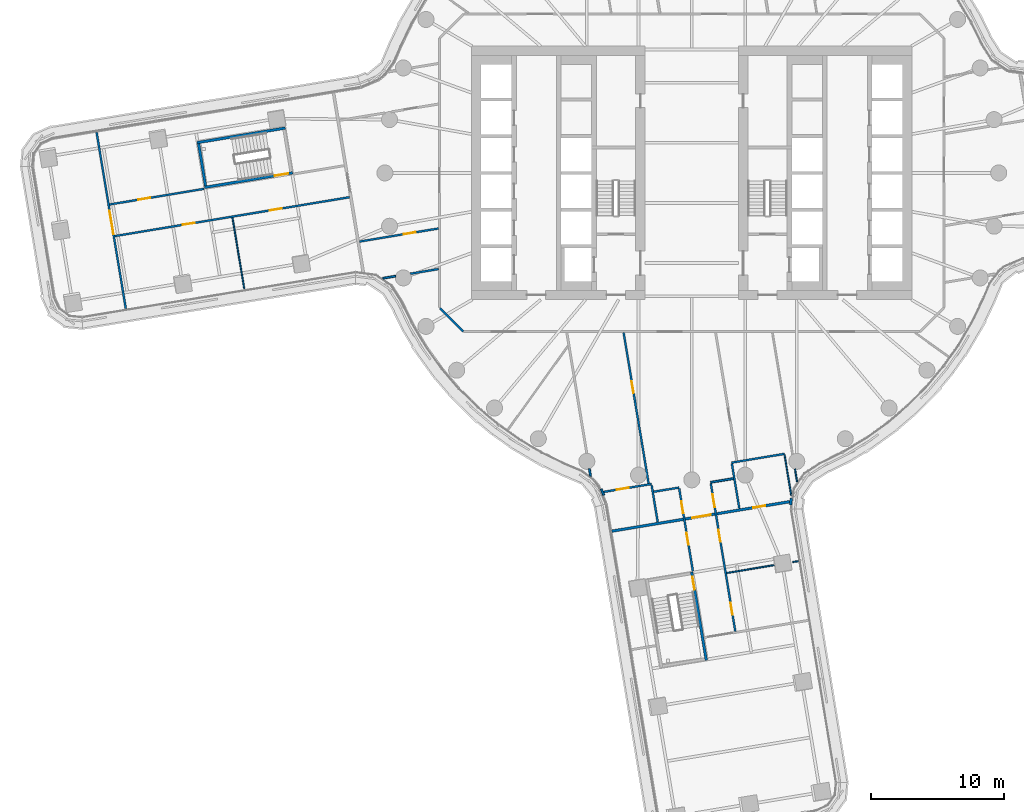
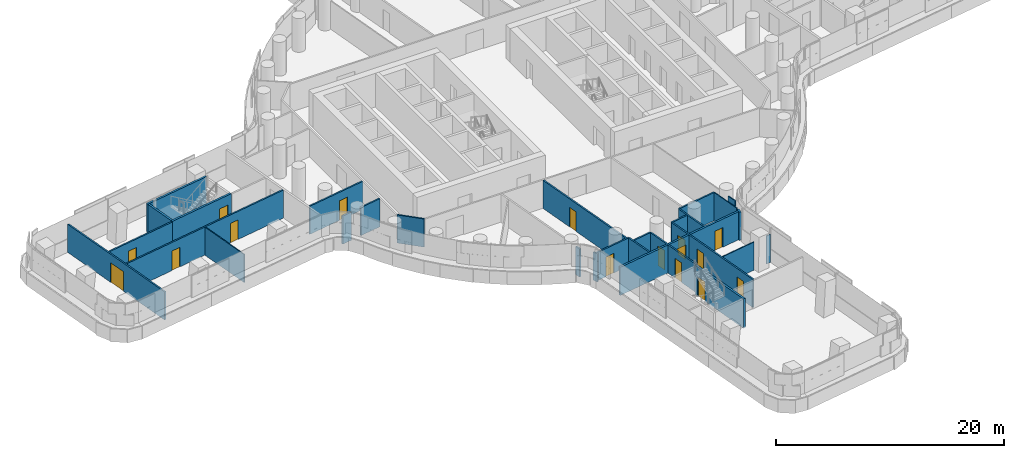
# One storey, part 20 of 32: 29 walls, 16 doors, 16 openings.
"""IFC4 building model written with IfcOpenShell, lengths in metres."""

from ifc_helpers import new_model, si_unit, direction, frame, frame_2d, origin, place, context, subcontext, project, spatial, polyline, rectangle, outline, extrude, material, layer, layer_set, type_object, element, fill, save


model = new_model("IFC4")

# Units and contexts
model_context = context("Model", 3, precision=1e-05, world=origin(), true_north=direction((0.0, 1.0)))
body_context = subcontext(model_context, "Body", "Model", "MODEL_VIEW")
ifc_project = project(units=[si_unit("LENGTHUNIT", "METRE"), si_unit("AREAUNIT", "SQUARE_METRE"), si_unit("VOLUMEUNIT", "CUBIC_METRE"), si_unit("PLANEANGLEUNIT", "RADIAN"), si_unit("MASSUNIT", "GRAM", prefix="KILO")], contexts=[model_context])

# Site, building, storey
site_placement = place(None, origin())
site = spatial("IfcSite", under=ifc_project, at=site_placement, CompositionType="ELEMENT")
building_placement = place(site_placement, origin())
building = spatial("IfcBuilding", under=site, at=building_placement, Name="Tamarind Cross Interchange Tower", CompositionType="ELEMENT")
storey_placement = place(building_placement, frame((0.0, 0.0, 67.75)))
storey = spatial("IfcBuildingStorey", under=building, at=storey_placement, Name="L15", CompositionType="ELEMENT", Elevation=67.75)

# Walls
ifc_material_1 = material(Name="Gypsum board partition on steel studs", Category="steel")
ifc_layer_1 = layer(ifc_material_1, 0.10009765625)
ifc_layer_set_1 = layer_set([ifc_layer_1], Name="Gypsum board partition on steel studs")
wall_type_1 = type_object("IfcWallType", Name="Partition 100 mm EI 90", PredefinedType="PARTITIONING", material=ifc_layer_set_1)
wall_1_placement = place(storey_placement, frame((-34.419677734375, -3.34912109375, 0.0), z_axis=(0.0, 0.0, 1.0), x_axis=(0.163379898138, -0.986563231063, 0.0)))
element("IfcWall", 1, at=wall_1_placement, inside=storey, type_object=wall_type_1, Name="Partition L15-002", PredefinedType="PARTITIONING", context=body_context, shape_type="SweptSolid", body=[
    extrude(rectangle(XDim=5.439208984375, YDim=0.10009765625, at=frame_2d((2.7197265625, 0.0))), origin(), (0.0, 0.0, 1.0), 3.010009765625),
])
wall_2_placement = place(storey_placement, frame((7.734375, -22.1875, 0.0), z_axis=(0.0, 0.0, 1.0), x_axis=(0.163263648391, -0.986582475576, 0.0)))
element("IfcWall", 2, at=wall_2_placement, inside=storey, type_object=wall_type_1, Name="Partition L15-022", PredefinedType="PARTITIONING", context=body_context, shape_type="SweptSolid", body=[
    extrude(rectangle(XDim=0.9765625, YDim=0.10009765625, at=frame_2d((0.48828125, 0.0))), origin(), (0.0, 0.0, 1.0), 3.010009765625),
])
wall_3_placement = place(storey_placement, frame((6.94970703125, -21.1181640625, 0.0), z_axis=(0.0, 0.0, 1.0), x_axis=(0.163298713536, -0.986576672214, 0.0)))
element("IfcWall", 3, at=wall_3_placement, inside=storey, type_object=wall_type_1, Name="Partition L15-023", PredefinedType="PARTITIONING", context=body_context, shape_type="SweptSolid", body=[
    extrude(rectangle(XDim=3.0947265625, YDim=0.10009765625, at=frame_2d((1.54736328125, 0.0))), origin(), (0.0, 0.0, 1.0), 3.010009765625),
])
wall_4_placement = place(storey_placement, frame((2.614013671875, -29.979736328125, 0.0), z_axis=(0.0, 0.0, 1.0), x_axis=(0.986560373478, 0.163397152616, 0.0)))
element("IfcWall", 4, at=wall_4_placement, inside=storey, type_object=wall_type_1, Name="Partition L15-059", PredefinedType="PARTITIONING", context=body_context, shape_type="SweptSolid", body=[
    extrude(rectangle(XDim=3.596435546875, YDim=0.10009765625, at=frame_2d((1.79833984375, 0.0))), origin(), (0.0, 0.0, 1.0), 3.010009765625),
])
wall_5_placement = place(storey_placement, frame((7.560302734375, -29.16064453125, 0.0), z_axis=(0.0, 0.0, 1.0), x_axis=(0.986516096147, 0.163664266238, 0.0)))
element("IfcWall", 5, at=wall_5_placement, inside=storey, type_object=wall_type_1, Name="Partition L15-060", PredefinedType="PARTITIONING", context=body_context, shape_type="SweptSolid", body=[
    extrude(rectangle(XDim=0.43115234375, YDim=0.10009765625, at=frame_2d((0.215576171875, 0.0))), origin(), (0.0, 0.0, 1.0), 3.010009765625),
])

# Wall, opening, door
ifc_layer_2 = layer(ifc_material_1, 0.14990234375)
ifc_layer_set_2 = layer_set([ifc_layer_2], Name="Gypsum board partition on steel studs")
wall_type_2 = type_object("IfcWallType", Name="Partition 150 mm EI 120", PredefinedType="PARTITIONING", material=ifc_layer_set_2)
wall_6_placement = place(storey_placement, frame((-44.601806640625, 3.047119140625, 0.0), z_axis=(0.0, 0.0, 1.0), x_axis=(0.163385657708, -0.986562277231, 0.0)))
wall_6 = element("IfcWall", 6, at=wall_6_placement, inside=storey, type_object=wall_type_2, Name="Partition L15-001", PredefinedType="PARTITIONING", context=body_context, shape_type="SweptSolid", body=[
    extrude(rectangle(XDim=13.402099609375, YDim=0.14990234375, at=frame_2d((6.701171875, 0.0))), origin(), (0.0, 0.0, 1.0), 3.010009765625),
])
opening_1_placement = place(wall_6_placement, frame((5.94921875, 0.0, 0.0)))
opening_1 = element("IfcOpeningElement", 7, at=opening_1_placement, cuts=wall_6, Name="Opening D01", PredefinedType="OPENING", context=body_context, shape_type="SweptSolid", body=[
    extrude(rectangle(XDim=1.800048828125, YDim=2.10009765625, at=frame_2d((0.89990234375, 1.050048828125))), frame((0.0, 0.0849609375, 0.0), z_axis=(0.0, -1.0, 0.0), x_axis=(1.0, 0.0, 0.0)), (0.0, 0.0, 1.0), 0.169921875),
])
ifc_material_2 = material(Name="Fire-resisting door set")
door_type_1 = type_object("IfcDoorType", Name="Interior door 1800 x 2100 FD60S", OperationType="DOUBLE_DOOR_SINGLE_SWING", PredefinedType="DOOR", material=ifc_material_2)
door_1_placement = place(opening_1_placement, frame((1.800048828125, 0.0, 0.0), z_axis=(0.0, 0.0, 1.0), x_axis=(-1.0, 0.0, 0.0)))
door_1 = element("IfcDoor", 8, at=door_1_placement, inside=storey, type_object=door_type_1, Name="Door D01", OperationType="DOUBLE_DOOR_SINGLE_SWING", OverallHeight=2.10009765625, OverallWidth=1.800048828125, PredefinedType="DOOR", context=body_context, shape_type="SweptSolid", body=[
    extrude(rectangle(XDim=1.800048828125, YDim=2.10009765625, at=frame_2d((0.89990234375, 1.050048828125))), frame((0.0, 0.02490234375, 0.0), z_axis=(0.0, -1.0, 0.0), x_axis=(1.0, 0.0, 0.0)), (0.0, 0.0, 1.0), 0.050048828125),
])
fill(opening_1, door_1)

# Wall
wall_7_placement = place(storey_placement, frame((-7.67626953125, -22.172119140625, 0.0), z_axis=(0.0, 0.0, 1.0), x_axis=(0.163195946533, -0.986593676766, 0.0)))
element("IfcWall", 9, at=wall_7_placement, inside=storey, type_object=wall_type_2, Name="Partition L15-005", PredefinedType="PARTITIONING", context=body_context, shape_type="SweptSolid", body=[
    extrude(rectangle(XDim=0.5595703125, YDim=0.14990234375, at=frame_2d((0.27978515625, 0.0))), origin(), (0.0, 0.0, 1.0), 3.010009765625),
])

# Wall, opening, door
wall_8_placement = place(storey_placement, frame((-5.107666015625, -11.968994140625, 0.0), z_axis=(0.0, 0.0, 1.0), x_axis=(0.163358221412, -0.986566820594, 0.0)))
wall_8 = element("IfcWall", 10, at=wall_8_placement, inside=storey, type_object=wall_type_2, Name="Partition L15-008", PredefinedType="PARTITIONING", context=body_context, shape_type="SweptSolid", body=[
    extrude(rectangle(XDim=11.450927734375, YDim=0.14990234375, at=frame_2d((5.7255859375, 0.0))), origin(), (0.0, 0.0, 1.0), 3.010009765625),
])
opening_2_placement = place(wall_8_placement, frame((3.679931640625, 0.0, 0.0)))
opening_2 = element("IfcOpeningElement", 11, at=opening_2_placement, cuts=wall_8, Name="Opening D03", PredefinedType="OPENING", context=body_context, shape_type="SweptSolid", body=[
    extrude(rectangle(XDim=0.89990234375, YDim=2.10009765625, at=frame_2d((0.449951171875, 1.050048828125))), frame((0.0, 0.0849609375, 0.0), z_axis=(0.0, -1.0, 0.0), x_axis=(1.0, 0.0, 0.0)), (0.0, 0.0, 1.0), 0.169921875),
])
door_type_2 = type_object("IfcDoorType", Name="Interior door 900 x 2100 FD60S", OperationType="SINGLE_SWING_LEFT", PredefinedType="DOOR", material=ifc_material_2)
door_2_placement = place(opening_2_placement, frame((0.89990234375, 0.0, 0.0), z_axis=(0.0, 0.0, 1.0), x_axis=(-1.0, 0.0, 0.0)))
door_2 = element("IfcDoor", 12, at=door_2_placement, inside=storey, type_object=door_type_2, Name="Door D03", OperationType="SINGLE_SWING_LEFT", OverallHeight=2.10009765625, OverallWidth=0.89990234375, PredefinedType="DOOR", context=body_context, shape_type="SweptSolid", body=[
    extrude(rectangle(XDim=0.89990234375, YDim=2.10009765625, at=frame_2d((0.449951171875, 1.050048828125))), frame((0.0, 0.02490234375, 0.0), z_axis=(0.0, -1.0, 0.0), x_axis=(1.0, 0.0, 0.0)), (0.0, 0.0, 1.0), 0.050048828125),
])
fill(opening_2, door_2)

# Wall
wall_9_placement = place(storey_placement, frame((-3.0146484375, -23.381103515625, 0.0), z_axis=(0.0, 0.0, 1.0), x_axis=(0.163404004573, -0.986559238611, 0.0)))
element("IfcWall", 13, at=wall_9_placement, inside=storey, type_object=wall_type_2, Name="Partition L15-012", PredefinedType="PARTITIONING", context=body_context, shape_type="SweptSolid", body=[
    extrude(rectangle(XDim=2.825439453125, YDim=0.14990234375, at=frame_2d((1.41259765625, 0.0))), origin(), (0.0, 0.0, 1.0), 3.010009765625),
])

# Wall, openings, doors
wall_10_placement = place(storey_placement, frame((-0.943603515625, -23.64599609375, 0.0), z_axis=(0.0, 0.0, 1.0), x_axis=(0.163303613775, -0.986575861112, 0.0)))
wall_10 = element("IfcWall", 14, at=wall_10_placement, inside=storey, type_object=wall_type_2, Name="Partition L15-015", PredefinedType="PARTITIONING", context=body_context, shape_type="SweptSolid", body=[
    extrude(rectangle(XDim=6.28955078125, YDim=0.14990234375, at=frame_2d((3.144775390625, 0.0))), origin(), (0.0, 0.0, 1.0), 3.010009765625),
])
opening_3_placement = place(wall_10_placement, frame((0.97998046875, 0.0, 0.0)))
opening_3 = element("IfcOpeningElement", 15, at=opening_3_placement, cuts=wall_10, Name="Opening D08", PredefinedType="OPENING", context=body_context, shape_type="SweptSolid", body=[
    extrude(rectangle(XDim=0.89990234375, YDim=2.10009765625, at=frame_2d((0.449951171875, 1.050048828125))), frame((0.0, 0.0849609375, 0.0), z_axis=(0.0, -1.0, 0.0), x_axis=(1.0, 0.0, 0.0)), (0.0, 0.0, 1.0), 0.169921875),
])
opening_4_placement = place(wall_10_placement, frame((3.380126953125, 0.0, 0.0)))
opening_4 = element("IfcOpeningElement", 16, at=opening_4_placement, cuts=wall_10, Name="Opening D09", PredefinedType="OPENING", context=body_context, shape_type="SweptSolid", body=[
    extrude(rectangle(XDim=0.89990234375, YDim=2.10009765625, at=frame_2d((0.449951171875, 1.050048828125))), frame((0.0, 0.0849609375, 0.0), z_axis=(0.0, -1.0, 0.0), x_axis=(1.0, 0.0, 0.0)), (0.0, 0.0, 1.0), 0.169921875),
])
door_3_placement = place(opening_3_placement, frame((0.89990234375, 0.0, 0.0), z_axis=(0.0, 0.0, 1.0), x_axis=(-1.0, 0.0, 0.0)))
door_3 = element("IfcDoor", 17, at=door_3_placement, inside=storey, type_object=door_type_2, Name="Door D08", OperationType="SINGLE_SWING_LEFT", OverallHeight=2.10009765625, OverallWidth=0.89990234375, PredefinedType="DOOR", context=body_context, shape_type="SweptSolid", body=[
    extrude(rectangle(XDim=0.89990234375, YDim=2.10009765625, at=frame_2d((0.449951171875, 1.050048828125))), frame((0.0, 0.02490234375, 0.0), z_axis=(0.0, -1.0, 0.0), x_axis=(1.0, 0.0, 0.0)), (0.0, 0.0, 1.0), 0.050048828125),
])
fill(opening_3, door_3)
door_4_placement = place(opening_4_placement, frame((0.89990234375, 0.0, 0.0), z_axis=(0.0, 0.0, 1.0), x_axis=(-1.0, 0.0, 0.0)))
door_4 = element("IfcDoor", 18, at=door_4_placement, inside=storey, type_object=door_type_2, Name="Door D09", OperationType="SINGLE_SWING_RIGHT", OverallHeight=2.10009765625, OverallWidth=0.89990234375, PredefinedType="DOOR", context=body_context, shape_type="SweptSolid", body=[
    extrude(rectangle(XDim=0.89990234375, YDim=2.10009765625, at=frame_2d((0.449951171875, 1.050048828125))), frame((0.0, 0.02490234375, 0.0), z_axis=(0.0, -1.0, 0.0), x_axis=(1.0, 0.0, 0.0)), (0.0, 0.0, 1.0), 0.050048828125),
])
fill(opening_4, door_4)

wall_11_placement = place(storey_placement, frame((1.42431640625, -23.254150390625, 0.0), z_axis=(0.0, 0.0, 1.0), x_axis=(0.163340092812, -0.986569822202, 0.0)))
wall_11 = element("IfcWall", 19, at=wall_11_placement, inside=storey, type_object=wall_type_2, Name="Partition L15-016", PredefinedType="PARTITIONING", context=body_context, shape_type="SweptSolid", body=[
    extrude(rectangle(XDim=11.2548828125, YDim=0.14990234375, at=frame_2d((5.62744140625, 0.0))), origin(), (0.0, 0.0, 1.0), 3.010009765625),
])
opening_5_placement = place(wall_11_placement, frame((0.830078125, 0.0, 0.0)))
opening_5 = element("IfcOpeningElement", 20, at=opening_5_placement, cuts=wall_11, Name="Opening D10", PredefinedType="OPENING", context=body_context, shape_type="SweptSolid", body=[
    extrude(rectangle(XDim=1.0, YDim=2.10009765625, at=frame_2d((0.5, 1.050048828125))), frame((0.0, 0.0849609375, 0.0), z_axis=(0.0, -1.0, 0.0), x_axis=(1.0, 0.0, 0.0)), (0.0, 0.0, 1.0), 0.169921875),
])
opening_6_placement = place(wall_11_placement, frame((3.5302734375, 0.0, 0.0)))
opening_6 = element("IfcOpeningElement", 21, at=opening_6_placement, cuts=wall_11, Name="Opening D11", PredefinedType="OPENING", context=body_context, shape_type="SweptSolid", body=[
    extrude(rectangle(XDim=0.89990234375, YDim=2.10009765625, at=frame_2d((0.449951171875, 1.050048828125))), frame((0.0, 0.0849609375, 0.0), z_axis=(0.0, -1.0, 0.0), x_axis=(1.0, 0.0, 0.0)), (0.0, 0.0, 1.0), 0.169921875),
])
opening_7_placement = place(wall_11_placement, frame((9.07958984375, 0.0, 0.0)))
opening_7 = element("IfcOpeningElement", 22, at=opening_7_placement, cuts=wall_11, Name="Opening D12", PredefinedType="OPENING", context=body_context, shape_type="SweptSolid", body=[
    extrude(rectangle(XDim=0.89990234375, YDim=2.10009765625, at=frame_2d((0.449951171875, 1.050048828125))), frame((0.0, 0.0849609375, 0.0), z_axis=(0.0, -1.0, 0.0), x_axis=(1.0, 0.0, 0.0)), (0.0, 0.0, 1.0), 0.169921875),
])
door_type_3 = type_object("IfcDoorType", Name="Interior door 1000 x 2100 FD60S", OperationType="SINGLE_SWING_LEFT", PredefinedType="DOOR", material=ifc_material_2)
door_5_placement = place(opening_5_placement, origin())
door_5 = element("IfcDoor", 23, at=door_5_placement, inside=storey, type_object=door_type_3, Name="Door D10", OperationType="SINGLE_SWING_RIGHT", OverallHeight=2.10009765625, OverallWidth=1.0, PredefinedType="DOOR", context=body_context, shape_type="SweptSolid", body=[
    extrude(rectangle(XDim=1.0, YDim=2.10009765625, at=frame_2d((0.5, 1.050048828125))), frame((0.0, 0.02490234375, 0.0), z_axis=(0.0, -1.0, 0.0), x_axis=(1.0, 0.0, 0.0)), (0.0, 0.0, 1.0), 0.050048828125),
])
fill(opening_5, door_5)
door_6_placement = place(opening_6_placement, origin())
door_6 = element("IfcDoor", 24, at=door_6_placement, inside=storey, type_object=door_type_2, Name="Door D11", OperationType="SINGLE_SWING_RIGHT", OverallHeight=2.10009765625, OverallWidth=0.89990234375, PredefinedType="DOOR", context=body_context, shape_type="SweptSolid", body=[
    extrude(rectangle(XDim=0.89990234375, YDim=2.10009765625, at=frame_2d((0.449951171875, 1.050048828125))), frame((0.0, 0.02490234375, 0.0), z_axis=(0.0, -1.0, 0.0), x_axis=(1.0, 0.0, 0.0)), (0.0, 0.0, 1.0), 0.050048828125),
])
fill(opening_6, door_6)
door_7_placement = place(opening_7_placement, origin())
door_7 = element("IfcDoor", 25, at=door_7_placement, inside=storey, type_object=door_type_2, Name="Door D12", OperationType="SINGLE_SWING_LEFT", OverallHeight=2.10009765625, OverallWidth=0.89990234375, PredefinedType="DOOR", context=body_context, shape_type="SweptSolid", body=[
    extrude(rectangle(XDim=0.89990234375, YDim=2.10009765625, at=frame_2d((0.449951171875, 1.050048828125))), frame((0.0, 0.02490234375, 0.0), z_axis=(0.0, -1.0, 0.0), x_axis=(1.0, 0.0, 0.0)), (0.0, 0.0, 1.0), 0.050048828125),
])
fill(opening_7, door_7)

# Walls
wall_12_placement = place(storey_placement, frame((3.00341796875, -21.776123046875, 0.0), z_axis=(0.0, 0.0, 1.0), x_axis=(0.163358689155, -0.986566743144, 0.0)))
element("IfcWall", 26, at=wall_12_placement, inside=storey, type_object=wall_type_2, Name="Partition L15-018", PredefinedType="PARTITIONING", context=body_context, shape_type="SweptSolid", body=[
    extrude(rectangle(XDim=3.42529296875, YDim=0.14990234375, at=frame_2d((1.712646484375, 0.0))), origin(), (0.0, 0.0, 1.0), 3.010009765625),
])
wall_13_placement = place(storey_placement, frame((-18.87158203125, -10.12841796875, 0.0), z_axis=(0.0, 0.0, 1.0), x_axis=(0.707106781187, -0.707106781187, 0.0)))
element("IfcWall", 27, at=wall_13_placement, inside=storey, type_object=wall_type_2, Name="Partition L15-031", PredefinedType="PARTITIONING", context=body_context, shape_type="SweptSolid", body=[
    extrude(rectangle(XDim=2.465087890625, YDim=0.14990234375, at=frame_2d((1.232421875, 0.0))), origin(), (0.0, 0.0, 1.0), 3.010009765625),
])

# Wall, opening, door
wall_14_placement = place(storey_placement, frame((-43.62890625, -2.36572265625, 0.0), z_axis=(0.0, 0.0, 1.0), x_axis=(0.986562393746, 0.163384954159, 0.0)))
wall_14 = element("IfcWall", 28, at=wall_14_placement, inside=storey, type_object=wall_type_2, Name="Partition L15-037", PredefinedType="PARTITIONING", context=body_context, shape_type="SweptSolid", body=[
    extrude(rectangle(XDim=7.184326171875, YDim=0.14990234375, at=frame_2d((3.59228515625, 0.0))), origin(), (0.0, 0.0, 1.0), 3.010009765625),
])
opening_8_placement = place(wall_14_placement, frame((2.175048828125, 0.0, 0.0)))
opening_8 = element("IfcOpeningElement", 29, at=opening_8_placement, cuts=wall_14, Name="Opening D23", PredefinedType="OPENING", context=body_context, shape_type="SweptSolid", body=[
    extrude(rectangle(XDim=0.89990234375, YDim=2.10009765625, at=frame_2d((0.449951171875, 1.050048828125))), frame((0.0, 0.0849609375, 0.0), z_axis=(0.0, -1.0, 0.0), x_axis=(1.0, 0.0, 0.0)), (0.0, 0.0, 1.0), 0.169921875),
])
door_8_placement = place(opening_8_placement, origin())
door_8 = element("IfcDoor", 30, at=door_8_placement, inside=storey, type_object=door_type_2, Name="Door D23", OperationType="SINGLE_SWING_RIGHT", OverallHeight=2.10009765625, OverallWidth=0.89990234375, PredefinedType="DOOR", context=body_context, shape_type="SweptSolid", body=[
    extrude(rectangle(XDim=0.89990234375, YDim=2.10009765625, at=frame_2d((0.449951171875, 1.050048828125))), frame((0.0, 0.02490234375, 0.0), z_axis=(0.0, -1.0, 0.0), x_axis=(1.0, 0.0, 0.0)), (0.0, 0.0, 1.0), 0.050048828125),
])
fill(opening_8, door_8)

# Wall, openings, doors
wall_15_placement = place(storey_placement, frame((-43.237060546875, -4.733642578125, 0.0), z_axis=(0.0, 0.0, 1.0), x_axis=(0.986553006296, 0.163441628013, 0.0)))
wall_15 = element("IfcWall", 31, at=wall_15_placement, inside=storey, type_object=wall_type_2, Name="Partition L15-039", PredefinedType="PARTITIONING", context=body_context, shape_type="SweptSolid", body=[
    extrude(rectangle(XDim=17.824951171875, YDim=0.14990234375, at=frame_2d((8.91259765625, 0.0))), origin(), (0.0, 0.0, 1.0), 3.010009765625),
])
opening_9_placement = place(wall_15_placement, frame((11.77490234375, 0.0, 0.0)))
opening_9 = element("IfcOpeningElement", 32, at=opening_9_placement, cuts=wall_15, Name="Opening D24", PredefinedType="OPENING", context=body_context, shape_type="SweptSolid", body=[
    extrude(rectangle(XDim=0.89990234375, YDim=2.10009765625, at=frame_2d((0.449951171875, 1.050048828125))), frame((0.0, 0.0849609375, 0.0), z_axis=(0.0, -1.0, 0.0), x_axis=(1.0, 0.0, 0.0)), (0.0, 0.0, 1.0), 0.169921875),
])
opening_10_placement = place(wall_15_placement, frame((5.175048828125, 0.0, 0.0)))
opening_10 = element("IfcOpeningElement", 33, at=opening_10_placement, cuts=wall_15, Name="Opening D25", PredefinedType="OPENING", context=body_context, shape_type="SweptSolid", body=[
    extrude(rectangle(XDim=0.89990234375, YDim=2.10009765625, at=frame_2d((0.449951171875, 1.050048828125))), frame((0.0, 0.0849609375, 0.0), z_axis=(0.0, -1.0, 0.0), x_axis=(1.0, 0.0, 0.0)), (0.0, 0.0, 1.0), 0.169921875),
])
door_9_placement = place(opening_9_placement, frame((0.89990234375, 0.0, 0.0), z_axis=(0.0, 0.0, 1.0), x_axis=(-1.0, 0.0, 0.0)))
door_9 = element("IfcDoor", 34, at=door_9_placement, inside=storey, type_object=door_type_2, Name="Door D24", OperationType="SINGLE_SWING_RIGHT", OverallHeight=2.10009765625, OverallWidth=0.89990234375, PredefinedType="DOOR", context=body_context, shape_type="SweptSolid", body=[
    extrude(rectangle(XDim=0.89990234375, YDim=2.10009765625, at=frame_2d((0.449951171875, 1.050048828125))), frame((0.0, 0.02490234375, 0.0), z_axis=(0.0, -1.0, 0.0), x_axis=(1.0, 0.0, 0.0)), (0.0, 0.0, 1.0), 0.050048828125),
])
fill(opening_9, door_9)
door_10_placement = place(opening_10_placement, frame((0.89990234375, 0.0, 0.0), z_axis=(0.0, 0.0, 1.0), x_axis=(-1.0, 0.0, 0.0)))
door_10 = element("IfcDoor", 35, at=door_10_placement, inside=storey, type_object=door_type_2, Name="Door D25", OperationType="SINGLE_SWING_LEFT", OverallHeight=2.10009765625, OverallWidth=0.89990234375, PredefinedType="DOOR", context=body_context, shape_type="SweptSolid", body=[
    extrude(rectangle(XDim=0.89990234375, YDim=2.10009765625, at=frame_2d((0.449951171875, 1.050048828125))), frame((0.0, 0.02490234375, 0.0), z_axis=(0.0, -1.0, 0.0), x_axis=(1.0, 0.0, 0.0)), (0.0, 0.0, 1.0), 0.050048828125),
])
fill(opening_10, door_10)

# Wall, opening, door
wall_16_placement = place(storey_placement, frame((-24.898193359375, -5.142578125, 0.0), z_axis=(0.0, 0.0, 1.0), x_axis=(0.986555931678, 0.163423969083, 0.0)))
wall_16 = element("IfcWall", 36, at=wall_16_placement, inside=storey, type_object=wall_type_2, Name="Partition L15-042", PredefinedType="PARTITIONING", context=body_context, shape_type="SweptSolid", body=[
    extrude(rectangle(XDim=6.010009765625, YDim=0.14990234375, at=frame_2d((3.0048828125, 0.0))), origin(), (0.0, 0.0, 1.0), 3.010009765625),
])
opening_11_placement = place(wall_16_placement, frame((3.35009765625, 0.0, 0.0)))
opening_11 = element("IfcOpeningElement", 37, at=opening_11_placement, cuts=wall_16, Name="Opening D27", PredefinedType="OPENING", context=body_context, shape_type="SweptSolid", body=[
    extrude(rectangle(XDim=0.89990234375, YDim=2.10009765625, at=frame_2d((0.449951171875, 1.050048828125))), frame((0.0, 0.0849609375, 0.0), z_axis=(0.0, -1.0, 0.0), x_axis=(1.0, 0.0, 0.0)), (0.0, 0.0, 1.0), 0.169921875),
])
door_11_placement = place(opening_11_placement, frame((0.89990234375, 0.0, 0.0), z_axis=(0.0, 0.0, 1.0), x_axis=(-1.0, 0.0, 0.0)))
door_11 = element("IfcDoor", 38, at=door_11_placement, inside=storey, type_object=door_type_2, Name="Door D27", OperationType="SINGLE_SWING_RIGHT", OverallHeight=2.10009765625, OverallWidth=0.89990234375, PredefinedType="DOOR", context=body_context, shape_type="SweptSolid", body=[
    extrude(rectangle(XDim=0.89990234375, YDim=2.10009765625, at=frame_2d((0.449951171875, 1.050048828125))), frame((0.0, 0.02490234375, 0.0), z_axis=(0.0, -1.0, 0.0), x_axis=(1.0, 0.0, 0.0)), (0.0, 0.0, 1.0), 0.050048828125),
])
fill(opening_11, door_11)

# Walls
wall_17_placement = place(storey_placement, frame((-23.15087890625, -7.893798828125, 0.0), z_axis=(0.0, 0.0, 1.0), x_axis=(0.986582475576, 0.163263648391, 0.0)))
element("IfcWall", 39, at=wall_17_placement, inside=storey, type_object=wall_type_2, Name="Partition L15-043", PredefinedType="PARTITIONING", context=body_context, shape_type="SweptSolid", body=[
    extrude(rectangle(XDim=0.9765625, YDim=0.14990234375, at=frame_2d((0.48828125, 0.0))), origin(), (0.0, 0.0, 1.0), 3.010009765625),
])
wall_18_placement = place(storey_placement, frame((-21.093017578125, -7.552978515625, 0.0), z_axis=(0.0, 0.0, 1.0), x_axis=(0.986577198117, 0.16329553624, 0.0)))
element("IfcWall", 40, at=wall_18_placement, inside=storey, type_object=wall_type_2, Name="Partition L15-044", PredefinedType="PARTITIONING", context=body_context, shape_type="SweptSolid", body=[
    extrude(rectangle(XDim=2.15283203125, YDim=0.14990234375, at=frame_2d((1.076416015625, 0.0))), origin(), (0.0, 0.0, 1.0), 3.010009765625),
])

# Wall, opening, door
wall_19_placement = place(storey_placement, frame((-6.605712890625, -23.90478515625, 0.0), z_axis=(0.0, 0.0, 1.0), x_axis=(0.9865661321, 0.163362379372, 0.0)))
wall_19 = element("IfcWall", 41, at=wall_19_placement, inside=storey, type_object=wall_type_2, Name="Partition L15-053", PredefinedType="PARTITIONING", context=body_context, shape_type="SweptSolid", body=[
    extrude(rectangle(XDim=3.628662109375, YDim=0.14990234375, at=frame_2d((1.814453125, 0.0))), origin(), (0.0, 0.0, 1.0), 3.010009765625),
])
opening_12_placement = place(wall_19_placement, frame((0.994873046875, 0.0, 0.0)))
opening_12 = element("IfcOpeningElement", 42, at=opening_12_placement, cuts=wall_19, Name="Opening D31", PredefinedType="OPENING", context=body_context, shape_type="SweptSolid", body=[
    extrude(rectangle(XDim=0.89990234375, YDim=2.10009765625, at=frame_2d((0.449951171875, 1.050048828125))), frame((0.0, 0.0849609375, 0.0), z_axis=(0.0, -1.0, 0.0), x_axis=(1.0, 0.0, 0.0)), (0.0, 0.0, 1.0), 0.169921875),
])
door_12_placement = place(opening_12_placement, frame((0.89990234375, 0.0, 0.0), z_axis=(0.0, 0.0, 1.0), x_axis=(-1.0, 0.0, 0.0)))
door_12 = element("IfcDoor", 43, at=door_12_placement, inside=storey, type_object=door_type_2, Name="Door D31", OperationType="SINGLE_SWING_LEFT", OverallHeight=2.10009765625, OverallWidth=0.89990234375, PredefinedType="DOOR", context=body_context, shape_type="SweptSolid", body=[
    extrude(rectangle(XDim=0.89990234375, YDim=2.10009765625, at=frame_2d((0.449951171875, 1.050048828125))), frame((0.0, 0.02490234375, 0.0), z_axis=(0.0, -1.0, 0.0), x_axis=(1.0, 0.0, 0.0)), (0.0, 0.0, 1.0), 0.050048828125),
])
fill(opening_12, door_12)

# Walls
wall_20_placement = place(storey_placement, frame((-2.85400390625, -23.8916015625, 0.0), z_axis=(0.0, 0.0, 1.0), x_axis=(0.986544342797, 0.163493913328, 0.0)))
element("IfcWall", 44, at=wall_20_placement, inside=storey, type_object=wall_type_2, Name="Partition L15-057", PredefinedType="PARTITIONING", context=body_context, shape_type="SweptSolid", body=[
    extrude(rectangle(XDim=1.9248046875, YDim=0.14990234375, at=frame_2d((0.96240234375, 0.0))), origin(), (0.0, 0.0, 1.0), 3.010009765625),
])
wall_21_placement = place(storey_placement, frame((1.412841796875, -23.1845703125, 0.0), z_axis=(0.0, 0.0, 1.0), x_axis=(0.986538945888, 0.163526475675, 0.0)))
element("IfcWall", 45, at=wall_21_placement, inside=storey, type_object=wall_type_2, Name="Partition L15-058", PredefinedType="PARTITIONING", context=body_context, shape_type="SweptSolid", body=[
    extrude(rectangle(XDim=1.724365234375, YDim=0.14990234375, at=frame_2d((0.8623046875, 0.0))), origin(), (0.0, 0.0, 1.0), 3.010009765625),
])
wall_22_placement = place(storey_placement, frame((2.991943359375, -21.70703125, 0.0), z_axis=(0.0, 0.0, 1.0), x_axis=(0.986586214289, 0.163241054198, 0.0)))
element("IfcWall", 46, at=wall_22_placement, inside=storey, type_object=wall_type_2, Name="Partition L15-061", PredefinedType="PARTITIONING", context=body_context, shape_type="SweptSolid", body=[
    extrude(rectangle(XDim=4.000732421875, YDim=0.14990234375, at=frame_2d((2.00048828125, 0.0))), origin(), (0.0, 0.0, 1.0), 3.010009765625),
])
wall_23_placement = place(storey_placement, frame((-6.786865234375, -23.6884765625, 0.0), z_axis=(0.0, 0.0, 1.0), x_axis=(0.388668122057, -0.921377822013, 0.0)))
element("IfcWall", 47, at=wall_23_placement, inside=storey, type_object=wall_type_2, Name="Partition L15-077", PredefinedType="PARTITIONING", context=body_context, shape_type="SweptSolid", body=[
    extrude(rectangle(XDim=0.5, YDim=0.14990234375, at=frame_2d((0.25, 0.0))), origin(), (0.0, 0.0, 1.0), 3.010009765625),
])

# Wall, openings, doors
ifc_layer_3 = layer(ifc_material_1, 0.199951171875)
ifc_layer_set_3 = layer_set([ifc_layer_3], Name="Gypsum board partition on steel studs")
wall_type_3 = type_object("IfcWallType", Name="Partition 200 mm EI 180", PredefinedType="PARTITIONING", material=ifc_layer_set_3)
wall_24_placement = place(storey_placement, frame((-5.988037109375, -26.84375, 0.0), z_axis=(0.0, 0.0, 1.0), x_axis=(0.986551570393, 0.16345029506, 0.0)))
wall_24 = element("IfcWall", 48, at=wall_24_placement, inside=storey, type_object=wall_type_3, Name="Partition L15-054", PredefinedType="PARTITIONING", context=body_context, shape_type="SweptSolid", body=[
    extrude(rectangle(XDim=13.48046875, YDim=0.199951171875, at=frame_2d((6.740234375, 0.0))), origin(), (0.0, 0.0, 1.0), 3.010009765625),
])
opening_13_placement = place(wall_24_placement, frame((6.09912109375, 0.0, 0.0)))
opening_13 = element("IfcOpeningElement", 49, at=opening_13_placement, cuts=wall_24, Name="Opening D32", PredefinedType="OPENING", context=body_context, shape_type="SweptSolid", body=[
    extrude(rectangle(XDim=1.39990234375, YDim=2.10009765625, at=frame_2d((0.699951171875, 1.050048828125))), frame((0.0, 0.10986328125, 0.0), z_axis=(0.0, -1.0, 0.0), x_axis=(1.0, 0.0, 0.0)), (0.0, 0.0, 1.0), 0.219970703125),
])
opening_14_placement = place(wall_24_placement, frame((10.74951171875, 0.0, 0.0)))
opening_14 = element("IfcOpeningElement", 50, at=opening_14_placement, cuts=wall_24, Name="Opening D33", PredefinedType="OPENING", context=body_context, shape_type="SweptSolid", body=[
    extrude(rectangle(XDim=0.89990234375, YDim=2.10009765625, at=frame_2d((0.449951171875, 1.050048828125))), frame((0.0, 0.10986328125, 0.0), z_axis=(0.0, -1.0, 0.0), x_axis=(1.0, 0.0, 0.0)), (0.0, 0.0, 1.0), 0.219970703125),
])
door_type_4 = type_object("IfcDoorType", Name="Interior door 1400 x 2100 FD120S", OperationType="DOUBLE_DOOR_SINGLE_SWING", PredefinedType="DOOR", material=ifc_material_2)
door_13_placement = place(opening_13_placement, origin())
door_13 = element("IfcDoor", 51, at=door_13_placement, inside=storey, type_object=door_type_4, Name="Door D32", OperationType="DOUBLE_DOOR_SINGLE_SWING", OverallHeight=2.10009765625, OverallWidth=1.39990234375, PredefinedType="DOOR", context=body_context, shape_type="SweptSolid", body=[
    extrude(rectangle(XDim=1.39990234375, YDim=2.10009765625, at=frame_2d((0.699951171875, 1.050048828125))), frame((0.0, 0.02490234375, 0.0), z_axis=(0.0, -1.0, 0.0), x_axis=(1.0, 0.0, 0.0)), (0.0, 0.0, 1.0), 0.050048828125),
])
fill(opening_13, door_13)
door_type_5 = type_object("IfcDoorType", Name="Interior door 900 x 2100 FD120S", OperationType="SINGLE_SWING_LEFT", PredefinedType="DOOR", material=ifc_material_2)
door_14_placement = place(opening_14_placement, origin())
door_14 = element("IfcDoor", 52, at=door_14_placement, inside=storey, type_object=door_type_5, Name="Door D33", OperationType="SINGLE_SWING_LEFT", OverallHeight=2.10009765625, OverallWidth=0.89990234375, PredefinedType="DOOR", context=body_context, shape_type="SweptSolid", body=[
    extrude(rectangle(XDim=0.89990234375, YDim=2.10009765625, at=frame_2d((0.449951171875, 1.050048828125))), frame((0.0, 0.02490234375, 0.0), z_axis=(0.0, -1.0, 0.0), x_axis=(1.0, 0.0, 0.0)), (0.0, 0.0, 1.0), 0.050048828125),
])
fill(opening_14, door_14)

# Wall
wall_25_placement = place(storey_placement, frame((7.3916015625, -24.869384765625, 0.0), z_axis=(0.0, 0.0, 1.0), x_axis=(0.131843859112, 0.99127049629, 0.0)))
element("IfcWall", 53, at=wall_25_placement, inside=storey, type_object=wall_type_3, Name="Partition L15-078", PredefinedType="PARTITIONING", context=body_context, shape_type="SweptSolid", body=[
    extrude(rectangle(XDim=0.5, YDim=0.199951171875, at=frame_2d((0.25, 0.0))), origin(), (0.0, 0.0, 1.0), 3.010009765625),
])

# Wall, opening, door
ifc_material_3 = material(Name="Concrete C40", Category="concrete")
ifc_layer_4 = layer(ifc_material_3, 0.199951171875)
ifc_layer_set_4 = layer_set([ifc_layer_4], Name="Concrete C40")
wall_type_4 = type_object("IfcWallType", Name="Stair shaft wall 200 mm Concrete C40", PredefinedType="SHEAR", material=ifc_layer_set_4)
wall_26_placement = place(storey_placement, frame((-29.90771484375, 0.00830078125, -0.139892578125), z_axis=(0.0, 0.0, 1.0), x_axis=(-0.986560836674, -0.1633943559, 0.0)))
wall_26 = element("IfcWall", 54, at=wall_26_placement, inside=storey, type_object=wall_type_4, Name="Core wall CWL-L15-ST5-H", PredefinedType="SHEAR", context=body_context, shape_type="SweptSolid", body=[
    extrude(rectangle(XDim=6.699951171875, YDim=0.199951171875, at=frame_2d((3.35009765625, 0.0))), origin(), (0.0, 0.0, 1.0), 3.14990234375),
])
opening_15_placement = place(wall_26_placement, frame((0.35009765625, 0.0, 0.0)))
opening_15 = element("IfcOpeningElement", 55, at=opening_15_placement, cuts=wall_26, Name="Opening ST5L15", PredefinedType="OPENING", context=body_context, shape_type="SweptSolid", body=[
    extrude(rectangle(XDim=1.0, YDim=2.10009765625, at=frame_2d((0.5, 1.050048828125))), frame((0.0, 0.10986328125, 0.0), z_axis=(0.0, -1.0, 0.0), x_axis=(1.0, 0.0, 0.0)), (0.0, 0.0, 1.0), 0.219970703125),
])
ifc_material_4 = material(Name="Steel, fire-resisting", Category="steel")
door_type_6 = type_object("IfcDoorType", Name="Core fire door 1000 x 2100 FD90", OperationType="SINGLE_SWING_LEFT", PredefinedType="DOOR", material=ifc_material_4)
door_15_placement = place(opening_15_placement, origin())
door_15 = element("IfcDoor", 56, at=door_15_placement, inside=storey, type_object=door_type_6, Name="L15 stair door ST5", OperationType="SINGLE_SWING_LEFT", OverallHeight=2.10009765625, OverallWidth=1.0, PredefinedType="DOOR", context=body_context, shape_type="SweptSolid", body=[
    extrude(rectangle(XDim=1.0, YDim=2.10009765625, at=frame_2d((0.5, 1.050048828125))), frame((0.0, 0.02490234375, 0.0), z_axis=(0.0, -1.0, 0.0), x_axis=(1.0, 0.0, 0.0)), (0.0, 0.0, 1.0), 0.050048828125),
])
fill(opening_15, door_15)

# Walls
wall_27_placement = place(storey_placement, frame((-30.463134765625, 3.362548828125, -0.139892578125), z_axis=(0.0, 0.0, 1.0), x_axis=(-0.986560836674, -0.1633943559, 0.0)))
element("IfcWall", 57, at=wall_27_placement, inside=storey, type_object=wall_type_4, Name="Core wall CWL-L15-ST5-C", PredefinedType="SHEAR", context=body_context, shape_type="SweptSolid", body=[
    extrude(rectangle(XDim=6.699951171875, YDim=0.199951171875, at=frame_2d((3.35009765625, 0.0))), origin(), (0.0, 0.0, 1.0), 3.14990234375),
])
wall_28_placement = place(storey_placement, frame((0.0, 0.0, -0.139892578125)))
element("IfcWall", 58, at=wall_28_placement, inside=storey, type_object=wall_type_4, Name="Core wall CWL-L15-ST5-CF", PredefinedType="SHEAR", context=body_context, shape_type="SweptSolid", body=[
    extrude(outline(polyline([(-36.859375, 2.201904296875), (-37.056640625, 2.169189453125), (-36.533935546875, -0.98779296875), (-36.336669921875, -0.955078125), (-36.859375, 2.201904296875)])), origin(), (0.0, 0.0, 1.0), 3.14990234375),
])

# Wall, opening, door
wall_29_placement = place(storey_placement, frame((-0.00830078125, -29.90771484375, -0.139892578125), z_axis=(0.0, 0.0, 1.0), x_axis=(0.1633943559, -0.986560836674, 0.0)))
wall_29 = element("IfcWall", 59, at=wall_29_placement, inside=storey, type_object=wall_type_4, Name="Core wall CWL-L15-ST6-H", PredefinedType="SHEAR", context=body_context, shape_type="SweptSolid", body=[
    extrude(rectangle(XDim=6.699951171875, YDim=0.199951171875, at=frame_2d((3.35009765625, 0.0))), origin(), (0.0, 0.0, 1.0), 3.14990234375),
])
opening_16_placement = place(wall_29_placement, frame((0.35009765625, 0.0, 0.0)))
opening_16 = element("IfcOpeningElement", 60, at=opening_16_placement, cuts=wall_29, Name="Opening ST6L15", PredefinedType="OPENING", context=body_context, shape_type="SweptSolid", body=[
    extrude(rectangle(XDim=1.0, YDim=2.10009765625, at=frame_2d((0.5, 1.050048828125))), frame((0.0, 0.10986328125, 0.0), z_axis=(0.0, -1.0, 0.0), x_axis=(1.0, 0.0, 0.0)), (0.0, 0.0, 1.0), 0.219970703125),
])
door_16_placement = place(opening_16_placement, origin())
door_16 = element("IfcDoor", 61, at=door_16_placement, inside=storey, type_object=door_type_6, Name="L15 stair door ST6", OperationType="SINGLE_SWING_LEFT", OverallHeight=2.10009765625, OverallWidth=1.0, PredefinedType="DOOR", context=body_context, shape_type="SweptSolid", body=[
    extrude(rectangle(XDim=1.0, YDim=2.10009765625, at=frame_2d((0.5, 1.050048828125))), frame((0.0, 0.02490234375, 0.0), z_axis=(0.0, -1.0, 0.0), x_axis=(1.0, 0.0, 0.0)), (0.0, 0.0, 1.0), 0.050048828125),
])
fill(opening_16, door_16)

save(model, "model.ifc")
